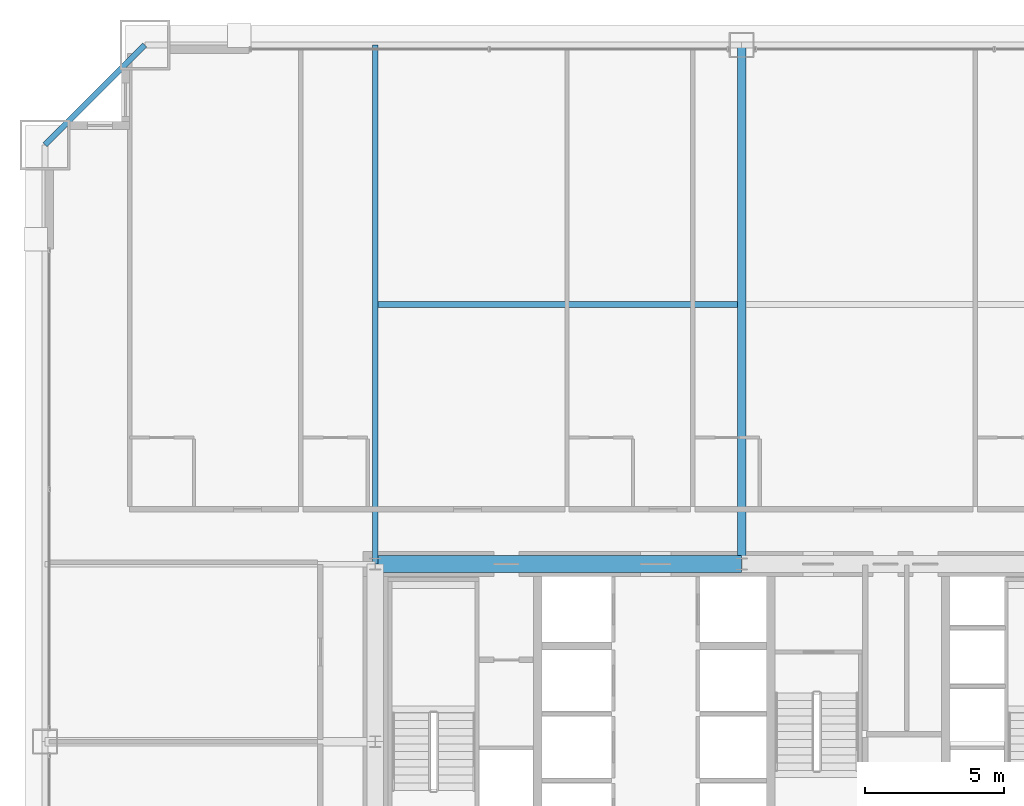
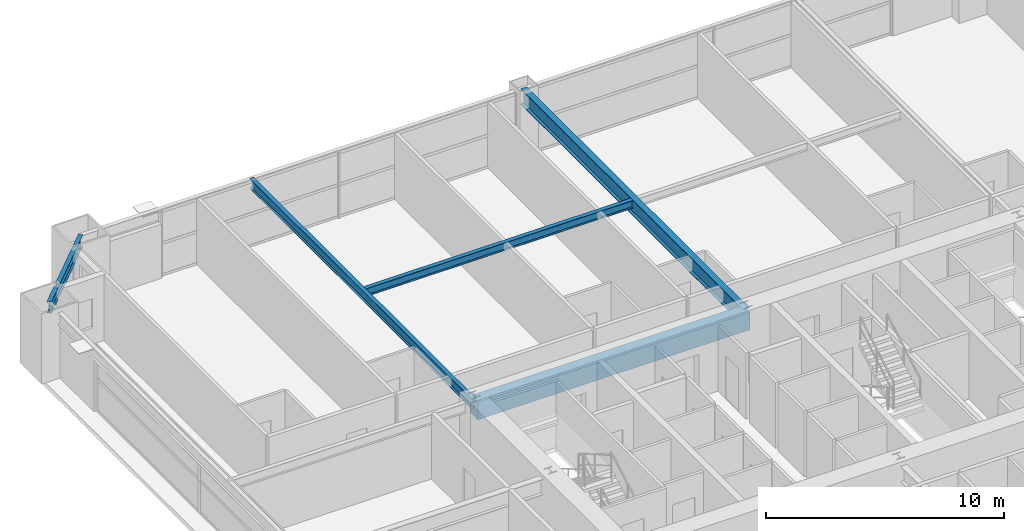
# One storey, part 24 of 43: 5 beams.
"""IFC4 building model written with IfcOpenShell, lengths in metres."""

from ifc_helpers import new_model, si_unit, direction, frame, origin, origin_2d, place, context, subcontext, project, spatial, rectangle, i_section, extrude, source, transform, mapped, material, material_profile, profile_set, type_object, element, save


model = new_model("IFC4")

# Units and contexts
model_context = context("Model", 3, precision=1e-05, world=origin(), true_north=direction((0.0, 1.0)))
body_context = subcontext(model_context, "Body", "Model", "MODEL_VIEW")
ifc_project = project(units=[si_unit("LENGTHUNIT", "METRE"), si_unit("AREAUNIT", "SQUARE_METRE"), si_unit("VOLUMEUNIT", "CUBIC_METRE"), si_unit("PLANEANGLEUNIT", "RADIAN"), si_unit("MASSUNIT", "GRAM", prefix="KILO"), si_unit("THERMODYNAMICTEMPERATUREUNIT", "KELVIN"), si_unit("POWERUNIT", "WATT")], contexts=[model_context])

# Site, building, storey
site_placement = place(None, origin())
site = spatial("IfcSite", under=ifc_project, at=site_placement, CompositionType="ELEMENT")
building_placement = place(site_placement, origin())
building = spatial("IfcBuilding", under=site, at=building_placement, Name="Yuzanri Waterfront Tower", CompositionType="ELEMENT")
storey_placement = place(building_placement, frame((0.0, 0.0, 71.199951171875)))
storey = spatial("IfcBuildingStorey", under=building, at=storey_placement, Name="L18", CompositionType="ELEMENT", Elevation=71.199951171875)

# Beams
ifc_material_1 = material(Name="Concrete C60", Category="concrete")
ifc_material_profile_1 = material_profile(ifc_material_1, rectangle(XDim=0.60009765625, YDim=0.89990234375, at=origin_2d()), Name="RC 600x900")
ifc_profile_set_1 = profile_set([ifc_material_profile_1], Name="Concrete C60")
beam_type_1 = type_object("IfcBeamType", Name="Core Coupling Lintel Concrete C60 600x900", PredefinedType="LINTEL", material=ifc_profile_set_1)
shared_shape_1 = source(origin(), body_context, "Body", "SweptSolid", [
    extrude(rectangle(XDim=0.60009765625, YDim=0.89990234375, at=origin_2d()), origin(), (0.0, 0.0, 1.0), 13.199951171875),
])
beam_1_placement = place(storey_placement, frame((23.800048828125, 32.199951171875, 2.929931640625), z_axis=(1.0, 0.0, 0.0), x_axis=(0.0, 1.0, 0.0)))
element("IfcBeam", 1, at=beam_1_placement, inside=storey, type_object=beam_type_1, Name="L18 Core Tie Beam CN1", PredefinedType="LINTEL", context=body_context, shape_type="MappedRepresentation", body=[
    mapped(shared_shape_1, transform((0.0, 0.0, 0.0), scale=1.0)),
])
ifc_material_2 = material(Name="Steel Q355B", Category="steel")
ifc_material_profile_2 = material_profile(ifc_material_2, i_section(OverallWidth=0.199951171875, OverallDepth=0.60009765625, WebThickness=0.010986328125, FlangeThickness=0.01708984375, at=origin_2d()), Name="HN 600x200x11x17")
ifc_profile_set_2 = profile_set([ifc_material_profile_2], Name="Steel Q355B")
beam_type_2 = type_object("IfcBeamType", Name="Perimeter Spandrel Q355B HN 600x200", PredefinedType="SPANDREL", material=ifc_profile_set_2)
shared_shape_2 = source(origin(), body_context, "Body", "SweptSolid", [
    extrude(i_section(OverallWidth=0.199951171875, OverallDepth=0.60009765625, WebThickness=0.010986328125, FlangeThickness=0.01708984375, at=origin_2d()), origin(), (0.0, 0.0, 1.0), 5.091064453125),
])
beam_2_placement = place(storey_placement, frame((15.5, 50.89990234375, 3.080078125), z_axis=(-0.707130757816, -0.707082803744, 0.0), x_axis=(0.707082803744, -0.707130757816, 0.0)))
element("IfcBeam", 2, at=beam_2_placement, inside=storey, type_object=beam_type_2, Name="L18 Perimeter Spandrel N1-W3", PredefinedType="SPANDREL", context=body_context, shape_type="MappedRepresentation", body=[
    mapped(shared_shape_2, transform((0.0, 0.0, 0.0), scale=1.0)),
])
ifc_material_3 = material(Name="Steel Q355B", Category="steel")
ifc_material_profile_3 = material_profile(ifc_material_3, i_section(OverallWidth=0.300048828125, OverallDepth=0.800048828125, WebThickness=0.013916015625, FlangeThickness=0.02587890625, at=origin_2d()), Name="HN 800x300x14x26")
ifc_profile_set_3 = profile_set([ifc_material_profile_3], Name="Steel Q355B")
beam_type_3 = type_object("IfcBeamType", Name="Primary Floor Girder Q355B HN 800x300", PredefinedType="BEAM", material=ifc_profile_set_3)
shared_shape_3 = source(origin(), body_context, "Body", "SweptSolid", [
    extrude(i_section(OverallWidth=0.300048828125, OverallDepth=0.800048828125, WebThickness=0.013916015625, FlangeThickness=0.02587890625, at=origin_2d()), origin(), (0.0, 0.0, 1.0), 18.699951171875),
])
beam_3_placement = place(storey_placement, frame((37.0, 32.199951171875, 2.97998046875), z_axis=(0.0, 1.0, 0.0), x_axis=(-1.0, 0.0, 0.0)))
element("IfcBeam", 3, at=beam_3_placement, inside=storey, type_object=beam_type_3, Name="L18 North Grid Girder", PredefinedType="BEAM", context=body_context, shape_type="MappedRepresentation", body=[
    mapped(shared_shape_3, transform((0.0, 0.0, 0.0), scale=1.0)),
])
ifc_material_4 = material(Name="Steel Q355B", Category="steel")
ifc_material_profile_4 = material_profile(ifc_material_4, i_section(OverallWidth=0.199951171875, OverallDepth=0.5, WebThickness=0.010009765625, FlangeThickness=0.01611328125, at=origin_2d()), Name="HN 500x200x10x16")
ifc_profile_set_4 = profile_set([ifc_material_profile_4], Name="Steel Q355B")
beam_type_4 = type_object("IfcBeamType", Name="Secondary Floor Beam Q355B HN 500x200", PredefinedType="BEAM", material=ifc_profile_set_4)
shared_shape_4 = source(origin(), body_context, "Body", "SweptSolid", [
    extrude(i_section(OverallWidth=0.199951171875, OverallDepth=0.5, WebThickness=0.010009765625, FlangeThickness=0.01611328125, at=origin_2d()), origin(), (0.0, 0.0, 1.0), 18.699951171875),
])
beam_4_placement = place(storey_placement, frame((23.800048828125, 32.199951171875, 3.130126953125), z_axis=(0.0, 1.0, 0.0), x_axis=(-1.0, 0.0, 0.0)))
element("IfcBeam", 4, at=beam_4_placement, inside=storey, type_object=beam_type_4, Name="L18 North-West Core Line Beam", PredefinedType="BEAM", context=body_context, shape_type="MappedRepresentation", body=[
    mapped(shared_shape_4, transform((0.0, 0.0, 0.0), scale=1.0)),
])
ifc_material_5 = material(Name="Steel Q355B", Category="steel")
ifc_material_profile_5 = material_profile(ifc_material_5, i_section(OverallWidth=0.199951171875, OverallDepth=0.39990234375, WebThickness=0.008056640625, FlangeThickness=0.012939453125, at=origin_2d()), Name="HN 400x200x8x13")
ifc_profile_set_5 = profile_set([ifc_material_profile_5], Name="Steel Q355B")
beam_type_5 = type_object("IfcBeamType", Name="Floor Joist Q355B HN 400x200", PredefinedType="JOIST", material=ifc_profile_set_5)
shared_shape_5 = source(origin(), body_context, "Body", "SweptSolid", [
    extrude(i_section(OverallWidth=0.199951171875, OverallDepth=0.39990234375, WebThickness=0.008056640625, FlangeThickness=0.012939453125, at=origin_2d()), origin(), (0.0, 0.0, 1.0), 12.9501953125),
])
beam_5_placement = place(storey_placement, frame((23.89990234375, 41.550048828125, 3.179931640625), z_axis=(1.0, 0.0, 0.0), x_axis=(0.0, 1.0, 0.0)))
element("IfcBeam", 5, at=beam_5_placement, inside=storey, type_object=beam_type_5, Name="L18 North Bay Joist W", PredefinedType="JOIST", context=body_context, shape_type="MappedRepresentation", body=[
    mapped(shared_shape_5, transform((0.0, 0.0, 0.0), scale=1.0)),
])

save(model, "model.ifc")
